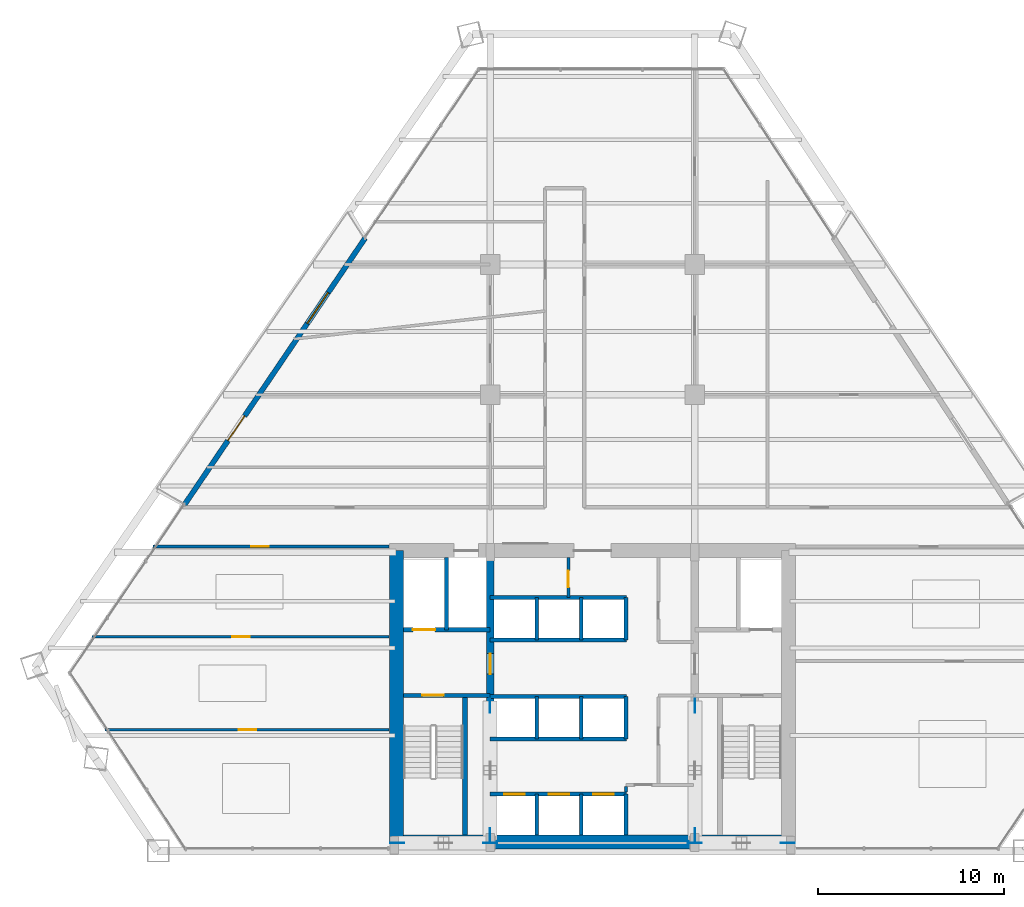
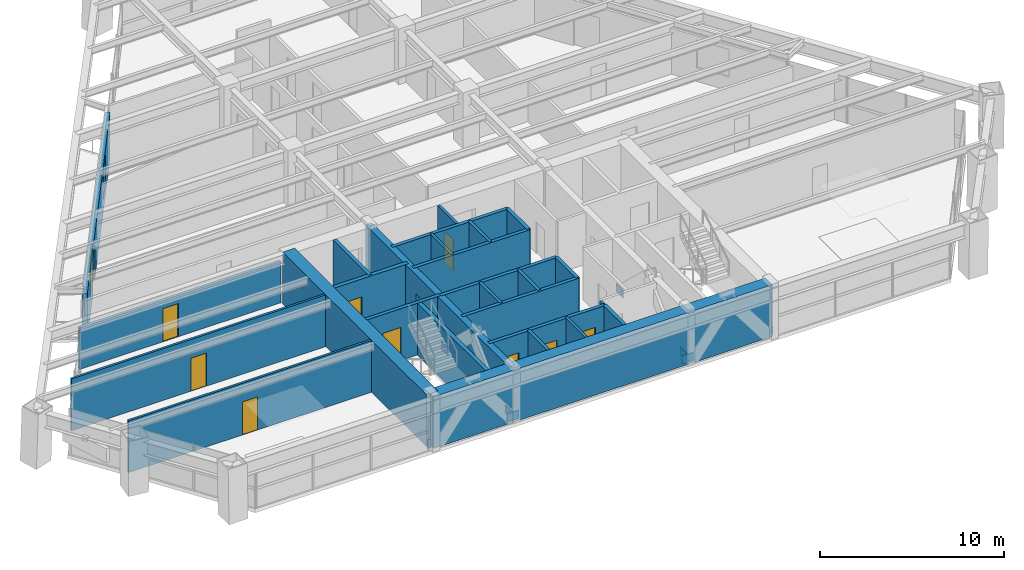
# One storey, part 10 of 14: 27 walls, 11 doors, 8 plates, 1 window, 12 openings.
"""IFC4 building model written with IfcOpenShell, lengths in metres."""

from ifc_helpers import new_model, si_unit, direction, frame, frame_2d, origin, origin_2d, place, context, subcontext, project, spatial, rectangle, extrude, source, transform, mapped, material, layer, layer_set, type_object, type_shapes, element, fill, save


model = new_model("IFC4")

# Units and contexts
model_context = context("Model", 3, precision=1e-05, world=origin(), true_north=direction((0.0, 1.0)))
body_context = subcontext(model_context, "Body", "Model", "MODEL_VIEW")
ifc_project = project(units=[si_unit("LENGTHUNIT", "METRE"), si_unit("AREAUNIT", "SQUARE_METRE"), si_unit("VOLUMEUNIT", "CUBIC_METRE"), si_unit("PLANEANGLEUNIT", "RADIAN"), si_unit("MASSUNIT", "GRAM", prefix="KILO")], contexts=[model_context])

# Site, building, storey
site_placement = place(None, origin())
site = spatial("IfcSite", under=ifc_project, at=site_placement, CompositionType="ELEMENT")
building_placement = place(site_placement, origin())
building = spatial("IfcBuilding", under=site, at=building_placement, Name="Varnakhor Terracotta Tower", CompositionType="ELEMENT")
storey_placement = place(building_placement, frame((0.0, 0.0, 76.60009765625)))
storey = spatial("IfcBuildingStorey", under=building, at=storey_placement, Name="L18", CompositionType="ELEMENT", Elevation=76.60009765625)

# Plates
ifc_material_1 = material(Name="Steel S460", Category="steel")
ifc_layer_1 = layer(ifc_material_1, 0.050048828125, Name="Steel S460")
ifc_layer_set_1 = layer_set([ifc_layer_1], Name="Steel S460")
plate_type = type_object("IfcPlateType", Name="PLT-GUSSET-50", PredefinedType="USERDEFINED", material=ifc_layer_set_1)
shared_shape_1 = source(origin(), body_context, "Body", "SweptSolid", [
    extrude(rectangle(XDim=0.75, YDim=0.0400390625, at=origin_2d()), origin(), (0.0, 0.0, 1.0), 0.550048828125),
])
type_shapes(plate_type, [shared_shape_1])
for number, where, z_axis, x_axis, name in (
    (1, (-10.5, 0.419921875, -0.09521484375), (0.0, 0.0, 1.0), (1.0, 0.0, 0.0), "L18 Core Brace Embed Plate CSWA"),
    (2, (-5.5, 0.419921875, -0.09521484375), (0.0, 0.0, 1.0), (1.0, 0.0, 0.0), "L18 Core Brace Embed Plate CSWB"),
    (3, (5.5, 0.419921875, -0.09521484375), (0.0, 0.0, 1.0), (1.0, 0.0, 0.0), "L18 Core Brace Embed Plate CSEA"),
    (4, (10.5, 0.419921875, -0.09521484375), (0.0, 0.0, 1.0), (1.0, 0.0, 0.0), "L18 Core Brace Embed Plate CSEB"),
    (5, (-5.5, 0.85009765625, -0.09521484375), (0.0, 0.0, 1.0), (0.0, 1.0, 0.0), "L18 Core Brace Embed Plate CWWA"),
    (6, (-5.5, 7.800048828125, -0.09521484375), (0.0, 0.0, 1.0), (0.0, 1.0, 0.0), "L18 Core Brace Embed Plate CWWB"),
    (7, (5.5, 0.85009765625, -0.09521484375), (0.0, 0.0, 1.0), (0.0, 1.0, 0.0), "L18 Core Brace Embed Plate CWEA"),
    (8, (5.5, 7.800048828125, -0.09521484375), (0.0, 0.0, 1.0), (0.0, 1.0, 0.0), "L18 Core Brace Embed Plate CWEB"),
):
    element("IfcPlate", number, at=place(storey_placement, frame(where, z_axis=z_axis, x_axis=x_axis)), inside=storey, type_object=plate_type, Name=name, ObjectType="GUSSET PLATE", PredefinedType="USERDEFINED", context=body_context, shape_type="MappedRepresentation", body=[
        mapped(shared_shape_1, transform((0.0, 0.0, 0.0), scale=1.0)),
    ])

# Walls
ifc_material_2 = material(Name="Concrete C60/75", Category="concrete")
ifc_layer_2 = layer(ifc_material_2, 0.75, Name="Concrete C60/75")
ifc_layer_set_2 = layer_set([ifc_layer_2], Name="Concrete C60/75")
wall_type_1 = type_object("IfcWallType", Name="WAL-CORE-750", PredefinedType="SHEAR", material=ifc_layer_set_2)
wall_1_placement = place(storey_placement, frame((-10.64990234375, 0.47509765625, 0.0), z_axis=(0.0, 0.0, 1.0), x_axis=(1.0, 0.0, 0.0)))
element("IfcWall", 9, at=wall_1_placement, inside=storey, type_object=wall_type_1, Name="L18 South Core Shear Wall", PredefinedType="SHEAR", context=body_context, shape_type="SweptSolid", body=[
    extrude(rectangle(XDim=21.2998046875, YDim=0.75, at=frame_2d((10.64990234375, 0.0))), origin(), (0.0, 0.0, 1.0), 3.449951171875),
])
wall_2_placement = place(storey_placement, frame((-10.52490234375, 0.47509765625, 0.0), z_axis=(0.0, 0.0, 1.0), x_axis=(0.0, 1.0, 0.0)))
element("IfcWall", 10, at=wall_2_placement, inside=storey, type_object=wall_type_1, Name="L18 West Core Shear Wall", PredefinedType="SHEAR", context=body_context, shape_type="SweptSolid", body=[
    extrude(rectangle(XDim=15.64990234375, YDim=0.75, at=frame_2d((7.824951171875, 0.0))), origin(), (0.0, 0.0, 1.0), 3.449951171875),
])

# Wall, opening, door
ifc_material_3 = material(Name="Concrete C50/60", Category="concrete")
ifc_layer_3 = layer(ifc_material_3, 0.39990234375, Name="Concrete C50/60")
ifc_layer_set_3 = layer_set([ifc_layer_3], Name="Concrete C50/60")
wall_type_2 = type_object("IfcWallType", Name="WAL-CORE-WEB-400", PredefinedType="SHEAR", material=ifc_layer_set_3)
wall_3_placement = place(storey_placement, frame((-5.5, 0.47509765625, 0.0), z_axis=(0.0, 0.0, 1.0), x_axis=(0.0, 1.0, 0.0)))
wall_3 = element("IfcWall", 11, at=wall_3_placement, inside=storey, type_object=wall_type_2, Name="L18 West Core Web Shear Wall", PredefinedType="SHEAR", context=body_context, shape_type="SweptSolid", body=[
    extrude(rectangle(XDim=15.64990234375, YDim=0.39990234375, at=frame_2d((7.824951171875, 0.0))), origin(), (0.0, 0.0, 1.0), 3.449951171875),
])
opening_1_placement = place(wall_3_placement, frame((9.02490234375, 0.0, 0.0)))
opening_1 = element("IfcOpeningElement", 12, at=opening_1_placement, cuts=wall_3, Name="Opening DR-25", PredefinedType="OPENING", context=body_context, shape_type="SweptSolid", body=[
    extrude(rectangle(XDim=1.10009765625, YDim=2.199951171875, at=frame_2d((0.550048828125, 1.10009765625))), frame((0.0, 0.2099609375, 0.0), z_axis=(0.0, -1.0, 0.0), x_axis=(1.0, 0.0, 0.0)), (0.0, 0.0, 1.0), 0.419921875),
])
ifc_material_4 = material(Name="Firefighting Lobby Self-Closing Fire Door", Category="steel")
door_type_1 = type_object("IfcDoorType", Name="DR-FFL-1100X2200", OperationType="NOTDEFINED", PredefinedType="DOOR", material=ifc_material_4)
shared_shape_2 = source(origin(), body_context, "Body", "SweptSolid", [
    extrude(rectangle(XDim=1.10009765625, YDim=2.199951171875, at=frame_2d((0.550048828125, 1.10009765625))), frame((0.0, 0.02490234375, 0.0), z_axis=(0.0, -1.0, 0.0), x_axis=(1.0, 0.0, 0.0)), (0.0, 0.0, 1.0), 0.050048828125),
])
type_shapes(door_type_1, [shared_shape_2])
door_1_placement = place(opening_1_placement, origin())
door_1 = element("IfcDoor", 13, at=door_1_placement, inside=storey, type_object=door_type_1, Name="L18 West Firefighting Lobby Door", OperationType="SINGLE_SWING_RIGHT", OverallHeight=2.199951171875, OverallWidth=1.10009765625, PredefinedType="DOOR", context=body_context, shape_type="MappedRepresentation", body=[
    mapped(shared_shape_2, transform((0.0, 0.0, 0.0), scale=1.0)),
])
fill(opening_1, door_1)

ifc_material_5 = material(Name="Fire-Rated Gypsum Stud Partition", Category="gypsum")
ifc_layer_4 = layer(ifc_material_5, 0.18505859375, Name="Fire-Rated Gypsum Stud Partition")
ifc_layer_set_4 = layer_set([ifc_layer_4], Name="Fire-Rated Gypsum Stud Partition")
wall_type_3 = type_object("IfcWallType", Name="WAL-CORR-185", PredefinedType="PARTITIONING", material=ifc_layer_set_4)
wall_4_placement = place(storey_placement, frame((-23.595703125, 16.35009765625, 0.0), z_axis=(0.0, 0.0, 1.0), x_axis=(1.0, 0.0, 0.0)))
wall_4 = element("IfcWall", 14, at=wall_4_placement, inside=storey, type_object=wall_type_3, Name="L18 South West Corridor Wall", PredefinedType="PARTITIONING", context=body_context, shape_type="SweptSolid", body=[
    extrude(rectangle(XDim=12.67578125, YDim=0.18505859375, at=frame_2d((6.337890625, 0.0))), origin(), (0.0, 0.0, 1.0), 2.746826171875),
])
opening_2_placement = place(wall_4_placement, frame((5.26318359375, 0.0, 0.0)))
opening_2 = element("IfcOpeningElement", 15, at=opening_2_placement, cuts=wall_4, Name="Opening DR-94", PredefinedType="OPENING", context=body_context, shape_type="SweptSolid", body=[
    extrude(rectangle(XDim=0.949951171875, YDim=2.199951171875, at=frame_2d((0.47509765625, 1.10009765625))), frame((0.0, 0.1025390625, 0.0), z_axis=(0.0, -1.0, 0.0), x_axis=(1.0, 0.0, 0.0)), (0.0, 0.0, 1.0), 0.205078125),
])
ifc_material_6 = material(Name="Acoustic Glazed-Vision Timber Office Door", Category="wood")
door_type_2 = type_object("IfcDoorType", Name="DR-OFF-950X2200", OperationType="NOTDEFINED", PredefinedType="DOOR", material=ifc_material_6)
shared_shape_3 = source(origin(), body_context, "Body", "SweptSolid", [
    extrude(rectangle(XDim=0.949951171875, YDim=2.199951171875, at=frame_2d((0.47509765625, 1.10009765625))), frame((0.0, 0.02490234375, 0.0), z_axis=(0.0, -1.0, 0.0), x_axis=(1.0, 0.0, 0.0)), (0.0, 0.0, 1.0), 0.050048828125),
])
type_shapes(door_type_2, [shared_shape_3])
door_2_placement = place(opening_2_placement, origin())
door_2 = element("IfcDoor", 16, at=door_2_placement, inside=storey, type_object=door_type_2, Name="L18 SW Suite Door", OperationType="SINGLE_SWING_LEFT", OverallHeight=2.199951171875, OverallWidth=0.949951171875, PredefinedType="DOOR", context=body_context, shape_type="MappedRepresentation", body=[
    mapped(shared_shape_3, transform((0.0, 0.0, 0.0), scale=1.0)),
])
fill(opening_2, door_2)

# Wall, openings, door, window
ifc_material_7 = material(Name="Extruded Architectural Terracotta Assembly", Category="masonry")
ifc_layer_5 = layer(ifc_material_7, 0.280029296875, Name="Extruded Architectural Terracotta Assembly")
ifc_layer_set_5 = layer_set([ifc_layer_5], Name="Extruded Architectural Terracotta Assembly")
wall_type_4 = type_object("IfcWallType", Name="WAL-EXT-TERRACOTTA-280", PredefinedType="SOLIDWALL", material=ifc_layer_set_5)
wall_5_placement = place(storey_placement, frame((-21.9130859375, 18.601806640625, 0.0), z_axis=(0.0, 0.0, 1.0), x_axis=(0.560872496689, 0.827902193775, 0.0)))
wall_5 = element("IfcWall", 17, at=wall_5_placement, inside=storey, type_object=wall_type_4, Name="L18 W Loggia Insulated Terracotta Wall", PredefinedType="SOLIDWALL", context=body_context, shape_type="SweptSolid", body=[
    extrude(rectangle(XDim=17.291015625, YDim=0.280029296875, at=frame_2d((8.6455078125, 0.0))), origin(), (0.0, 0.0, 1.0), 3.02978515625),
])
opening_3_placement = place(wall_5_placement, frame((4.14990234375, 0.0, 0.0)))
opening_3 = element("IfcOpeningElement", 18, at=opening_3_placement, cuts=wall_5, Name="Opening DR-62", PredefinedType="OPENING", context=body_context, shape_type="SweptSolid", body=[
    extrude(rectangle(XDim=1.60009765625, YDim=2.35009765625, at=frame_2d((0.800048828125, 1.175048828125))), frame((0.0, 0.14990234375, 0.0), z_axis=(0.0, -1.0, 0.0), x_axis=(1.0, 0.0, 0.0)), (0.0, 0.0, 1.0), 0.300048828125),
])
opening_4_placement = place(wall_5_placement, frame((11.7578125, 0.0, 0.89990234375)))
opening_4 = element("IfcOpeningElement", 19, at=opening_4_placement, cuts=wall_5, Name="Opening WN-26", PredefinedType="OPENING", context=body_context, shape_type="SweptSolid", body=[
    extrude(rectangle(XDim=2.0, YDim=1.85009765625, at=frame_2d((1.0, 0.925048828125))), frame((0.0, 0.14990234375, 0.0), z_axis=(0.0, -1.0, 0.0), x_axis=(1.0, 0.0, 0.0)), (0.0, 0.0, 1.0), 0.300048828125),
])
ifc_material_8 = material(Name="Thermally Broken Sliding Glass Loggia Door", Category="glass")
door_type_3 = type_object("IfcDoorType", Name="DR-EXT-LOGGIA-1600X2350", OperationType="NOTDEFINED", PredefinedType="DOOR", material=ifc_material_8)
shared_shape_4 = source(origin(), body_context, "Body", "SweptSolid", [
    extrude(rectangle(XDim=1.60009765625, YDim=2.35009765625, at=frame_2d((0.800048828125, 1.175048828125))), frame((0.0, 0.02490234375, 0.0), z_axis=(0.0, -1.0, 0.0), x_axis=(1.0, 0.0, 0.0)), (0.0, 0.0, 1.0), 0.050048828125),
])
type_shapes(door_type_3, [shared_shape_4])
door_3_placement = place(opening_3_placement, origin())
door_3 = element("IfcDoor", 20, at=door_3_placement, inside=storey, type_object=door_type_3, Name="L18 W Recessed Loggia Sliding Door", OperationType="SLIDING_TO_LEFT", OverallHeight=2.35009765625, OverallWidth=1.60009765625, PredefinedType="DOOR", context=body_context, shape_type="MappedRepresentation", body=[
    mapped(shared_shape_4, transform((0.0, 0.0, 0.0), scale=1.0)),
])
fill(opening_3, door_3)
ifc_material_9 = material(Name="Solar-Control Low-E Insulated Glass Unit", Category="glass")
window_type = type_object("IfcWindowType", Name="WIN-OFF-2200X2100", PartitioningType="SINGLE_PANEL", PredefinedType="WINDOW", material=ifc_material_9)
shared_shape_5 = source(origin(), body_context, "Body", "SweptSolid", [
    extrude(rectangle(XDim=2.0, YDim=1.85009765625, at=frame_2d((1.0, 0.925048828125))), frame((0.0, 0.030029296875, 0.0), z_axis=(0.0, -1.0, 0.0), x_axis=(1.0, 0.0, 0.0)), (0.0, 0.0, 1.0), 0.06005859375),
])
type_shapes(window_type, [shared_shape_5])
window_placement = place(opening_4_placement, origin())
window = element("IfcWindow", 21, at=window_placement, inside=storey, type_object=window_type, Name="L18 W Facet Punched Window", OverallHeight=1.85009765625, OverallWidth=2.0, PartitioningType="SINGLE_PANEL", PredefinedType="WINDOW", context=body_context, shape_type="MappedRepresentation", body=[
    mapped(shared_shape_5, transform((0.0, 0.0, 0.0), scale=1.0)),
])
fill(opening_4, window)

# Wall, opening, door
ifc_material_10 = material(Name="Concrete C40/50", Category="concrete")
ifc_layer_6 = layer(ifc_material_10, 0.219970703125, Name="Concrete C40/50")
ifc_layer_set_6 = layer_set([ifc_layer_6], Name="Concrete C40/50")
wall_type_5 = type_object("IfcWallType", Name="WAL-FFLOBBY-220", PredefinedType="SOLIDWALL", material=ifc_layer_set_6)
wall_6_placement = place(storey_placement, frame((-5.5, 8.35009765625, 0.0), z_axis=(0.0, 0.0, 1.0), x_axis=(-1.0, 0.0, 0.0)))
wall_6 = element("IfcWall", 22, at=wall_6_placement, inside=storey, type_object=wall_type_5, Name="L18 West Firefighting Lobby Stair Wall", PredefinedType="SOLIDWALL", context=body_context, shape_type="SweptSolid", body=[
    extrude(rectangle(XDim=4.64990234375, YDim=0.219970703125, at=frame_2d((2.324951171875, 0.0))), origin(), (0.0, 0.0, 1.0), 3.449951171875),
])
opening_5_placement = place(wall_6_placement, frame((2.5, 0.0, 0.0)))
opening_5 = element("IfcOpeningElement", 23, at=opening_5_placement, cuts=wall_6, Name="Opening DR-34", PredefinedType="OPENING", context=body_context, shape_type="SweptSolid", body=[
    extrude(rectangle(XDim=1.14990234375, YDim=2.199951171875, at=frame_2d((0.574951171875, 1.10009765625))), frame((0.0, 0.1201171875, 0.0), z_axis=(0.0, -1.0, 0.0), x_axis=(1.0, 0.0, 0.0)), (0.0, 0.0, 1.0), 0.239990234375),
])
ifc_material_11 = material(Name="Self-Closing Smoke-Sealed Steel Fire Door", Category="steel")
door_type_4 = type_object("IfcDoorType", Name="DR-STAIR-1150X2200", OperationType="NOTDEFINED", PredefinedType="DOOR", material=ifc_material_11)
shared_shape_6 = source(origin(), body_context, "Body", "SweptSolid", [
    extrude(rectangle(XDim=1.14990234375, YDim=2.199951171875, at=frame_2d((0.574951171875, 1.10009765625))), frame((0.0, 0.02490234375, 0.0), z_axis=(0.0, -1.0, 0.0), x_axis=(1.0, 0.0, 0.0)), (0.0, 0.0, 1.0), 0.050048828125),
])
type_shapes(door_type_4, [shared_shape_6])
door_4_placement = place(opening_5_placement, origin())
door_4 = element("IfcDoor", 24, at=door_4_placement, inside=storey, type_object=door_type_4, Name="L18 Exit Stair ST-1 Fire Door", OperationType="SINGLE_SWING_LEFT", OverallHeight=2.199951171875, OverallWidth=1.14990234375, PredefinedType="DOOR", context=body_context, shape_type="MappedRepresentation", body=[
    mapped(shared_shape_6, transform((0.0, 0.0, 0.0), scale=1.0)),
])
fill(opening_5, door_4)

ifc_material_12 = material(Name="Acoustic Metal-Stud Partition", Category="gypsum")
ifc_layer_7 = layer(ifc_material_12, 0.139892578125, Name="Acoustic Metal-Stud Partition")
ifc_layer_set_7 = layer_set([ifc_layer_7], Name="Acoustic Metal-Stud Partition")
wall_type_6 = type_object("IfcWallType", Name="WAL-PART-140", PredefinedType="PARTITIONING", material=ifc_layer_set_7)
wall_7_placement = place(storey_placement, frame((-26.177734375, 6.5, 0.0), z_axis=(0.0, 0.0, 1.0), x_axis=(1.0, 0.0, 0.0)))
wall_7 = element("IfcWall", 25, at=wall_7_placement, inside=storey, type_object=wall_type_6, Name="L18 South West Cut 1", PredefinedType="PARTITIONING", context=body_context, shape_type="SweptSolid", body=[
    extrude(rectangle(XDim=15.2578125, YDim=0.139892578125, at=frame_2d((7.62890625, 0.0))), origin(), (0.0, 0.0, 1.0), 3.44189453125),
])
opening_6_placement = place(wall_7_placement, frame((7.163818359375, 0.0, 0.0)))
opening_6 = element("IfcOpeningElement", 26, at=opening_6_placement, cuts=wall_7, Name="Opening DR-94", PredefinedType="OPENING", context=body_context, shape_type="SweptSolid", body=[
    extrude(rectangle(XDim=0.949951171875, YDim=2.199951171875, at=frame_2d((0.47509765625, 1.10009765625))), frame((0.0, 0.080078125, 0.0), z_axis=(0.0, -1.0, 0.0), x_axis=(1.0, 0.0, 0.0)), (0.0, 0.0, 1.0), 0.159912109375),
])
door_5_placement = place(opening_6_placement, origin())
door_5 = element("IfcDoor", 27, at=door_5_placement, inside=storey, type_object=door_type_2, Name="L18 South West Executive Office Door", OperationType="SINGLE_SWING_LEFT", OverallHeight=2.199951171875, OverallWidth=0.949951171875, PredefinedType="DOOR", context=body_context, shape_type="MappedRepresentation", body=[
    mapped(shared_shape_3, transform((0.0, 0.0, 0.0), scale=1.0)),
])
fill(opening_6, door_5)

wall_8_placement = place(storey_placement, frame((-26.88134765625, 11.5, 0.0), z_axis=(0.0, 0.0, 1.0), x_axis=(1.0, 0.0, 0.0)))
wall_8 = element("IfcWall", 28, at=wall_8_placement, inside=storey, type_object=wall_type_6, Name="L18 South West Cut 2", PredefinedType="PARTITIONING", context=body_context, shape_type="SweptSolid", body=[
    extrude(rectangle(XDim=15.96142578125, YDim=0.139892578125, at=frame_2d((7.980712890625, 0.0))), origin(), (0.0, 0.0, 1.0), 3.44189453125),
])
opening_7_placement = place(wall_8_placement, frame((7.518310546875, 0.0, 0.0)))
opening_7 = element("IfcOpeningElement", 29, at=opening_7_placement, cuts=wall_8, Name="Opening DR-94", PredefinedType="OPENING", context=body_context, shape_type="SweptSolid", body=[
    extrude(rectangle(XDim=0.949951171875, YDim=2.199951171875, at=frame_2d((0.47509765625, 1.10009765625))), frame((0.0, 0.080078125, 0.0), z_axis=(0.0, -1.0, 0.0), x_axis=(1.0, 0.0, 0.0)), (0.0, 0.0, 1.0), 0.159912109375),
])
door_6_placement = place(opening_7_placement, origin())
door_6 = element("IfcDoor", 30, at=door_6_placement, inside=storey, type_object=door_type_2, Name="L18 Focus Office Door", OperationType="SINGLE_SWING_RIGHT", OverallHeight=2.199951171875, OverallWidth=0.949951171875, PredefinedType="DOOR", context=body_context, shape_type="MappedRepresentation", body=[
    mapped(shared_shape_3, transform((0.0, 0.0, 0.0), scale=1.0)),
])
fill(opening_7, door_6)

# Walls
ifc_layer_8 = layer(ifc_material_10, 0.179931640625, Name="Concrete C40/50")
ifc_layer_set_8 = layer_set([ifc_layer_8], Name="Concrete C40/50")
wall_type_7 = type_object("IfcWallType", Name="WAL-SHAFT-180", PredefinedType="SOLIDWALL", material=ifc_layer_set_8)
for number, where, z_axis, x_axis, name in (
    (31, (-3.0, 0.85009765625, 0.0), (0.0, 0.0, 1.0), (0.0, 1.0, 0.0), "L18 PL-1A Divider"),
    (32, (-0.60009765625, 0.85009765625, 0.0), (0.0, 0.0, 1.0), (0.0, 1.0, 0.0), "L18 PL-1B Divider"),
):
    element("IfcWall", number, at=place(storey_placement, frame(where, z_axis=z_axis, x_axis=x_axis)), inside=storey, type_object=wall_type_7, Name=name, PredefinedType="SOLIDWALL", context=body_context, shape_type="SweptSolid", body=[
        extrude(rectangle(XDim=2.199951171875, YDim=0.179931640625, at=frame_2d((1.10009765625, 0.0))), origin(), (0.0, 0.0, 1.0), 3.449951171875),
    ])
for number, where, z_axis, x_axis, name in (
    (33, (-3.0, 6.0, 0.0), (0.0, 0.0, 1.0), (0.0, 1.0, 0.0), "L18 PL-2A Divider"),
    (34, (-0.60009765625, 6.0, 0.0), (0.0, 0.0, 1.0), (0.0, 1.0, 0.0), "L18 PL-2B Divider"),
    (35, (-3.0, 11.320068359375, 0.0), (0.0, 0.0, 1.0), (0.0, 1.0, 0.0), "L18 PL-3A Divider"),
    (36, (-0.60009765625, 11.320068359375, 0.0), (0.0, 0.0, 1.0), (0.0, 1.0, 0.0), "L18 PL-3B Divider"),
):
    element("IfcWall", number, at=place(storey_placement, frame(where, z_axis=z_axis, x_axis=x_axis)), inside=storey, type_object=wall_type_7, Name=name, PredefinedType="SOLIDWALL", context=body_context, shape_type="SweptSolid", body=[
        extrude(rectangle(XDim=2.300048828125, YDim=0.179931640625, at=frame_2d((1.14990234375, 0.0))), origin(), (0.0, 0.0, 1.0), 3.449951171875),
    ])
ifc_layer_9 = layer(ifc_material_10, 0.219970703125, Name="Concrete C40/50")
ifc_layer_set_9 = layer_set([ifc_layer_9], Name="Concrete C40/50")
wall_type_8 = type_object("IfcWallType", Name="WAL-SHAFT-220", PredefinedType="SOLIDWALL", material=ifc_layer_set_9)
wall_9_placement = place(storey_placement, frame((-7.840087890625, 11.8701171875, 0.0), z_axis=(0.0, 0.0, 1.0), x_axis=(0.0, 1.0, 0.0)))
element("IfcWall", 37, at=wall_9_placement, inside=storey, type_object=wall_type_8, Name="L18 Lift FFL-1 and SVL-1 Divider Wall", PredefinedType="SOLIDWALL", context=body_context, shape_type="SweptSolid", body=[
    extrude(rectangle(XDim=3.8798828125, YDim=0.219970703125, at=frame_2d((1.93994140625, 0.0))), origin(), (0.0, 0.0, 1.0), 3.449951171875),
])

# Wall, openings, doors
wall_10_placement = place(storey_placement, frame((-5.5, 3.050048828125, 0.0), z_axis=(0.0, 0.0, 1.0), x_axis=(1.0, 0.0, 0.0)))
wall_10 = element("IfcWall", 38, at=wall_10_placement, inside=storey, type_object=wall_type_8, Name="L18 Bank 1 Lift Shaft Wall", PredefinedType="SOLIDWALL", context=body_context, shape_type="SweptSolid", body=[
    extrude(rectangle(XDim=7.320068359375, YDim=0.219970703125, at=frame_2d((3.66015625, 0.0))), origin(), (0.0, 0.0, 1.0), 3.449951171875),
])
opening_8_placement = place(wall_10_placement, frame((0.75, 0.0, 0.0)))
opening_8 = element("IfcOpeningElement", 39, at=opening_8_placement, cuts=wall_10, Name="Opening LD-01", PredefinedType="OPENING", context=body_context, shape_type="SweptSolid", body=[
    extrude(rectangle(XDim=1.10009765625, YDim=2.199951171875, at=frame_2d((0.550048828125, 1.10009765625))), frame((0.0, 0.1201171875, 0.0), z_axis=(0.0, -1.0, 0.0), x_axis=(1.0, 0.0, 0.0)), (0.0, 0.0, 1.0), 0.239990234375),
])
opening_9_placement = place(wall_10_placement, frame((3.14990234375, 0.0, 0.0)))
opening_9 = element("IfcOpeningElement", 40, at=opening_9_placement, cuts=wall_10, Name="Opening LD-01", PredefinedType="OPENING", context=body_context, shape_type="SweptSolid", body=[
    extrude(rectangle(XDim=1.10009765625, YDim=2.199951171875, at=frame_2d((0.550048828125, 1.10009765625))), frame((0.0, 0.1201171875, 0.0), z_axis=(0.0, -1.0, 0.0), x_axis=(1.0, 0.0, 0.0)), (0.0, 0.0, 1.0), 0.239990234375),
])
opening_10_placement = place(wall_10_placement, frame((5.550048828125, 0.0, 0.0)))
opening_10 = element("IfcOpeningElement", 41, at=opening_10_placement, cuts=wall_10, Name="Opening LD-01", PredefinedType="OPENING", context=body_context, shape_type="SweptSolid", body=[
    extrude(rectangle(XDim=1.10009765625, YDim=2.199951171875, at=frame_2d((0.550048828125, 1.10009765625))), frame((0.0, 0.1201171875, 0.0), z_axis=(0.0, -1.0, 0.0), x_axis=(1.0, 0.0, 0.0)), (0.0, 0.0, 1.0), 0.239990234375),
])
ifc_material_13 = material(Name="Brushed Stainless Steel Sliding Lift Landing Door", Category="steel")
door_type_5 = type_object("IfcDoorType", Name="LD-PASS-1100X2200", OperationType="NOTDEFINED", PredefinedType="DOOR", material=ifc_material_13)
shared_shape_7 = source(origin(), body_context, "Body", "SweptSolid", [
    extrude(rectangle(XDim=1.10009765625, YDim=2.199951171875, at=frame_2d((0.550048828125, 1.10009765625))), frame((0.0, 0.02490234375, 0.0), z_axis=(0.0, -1.0, 0.0), x_axis=(1.0, 0.0, 0.0)), (0.0, 0.0, 1.0), 0.050048828125),
])
type_shapes(door_type_5, [shared_shape_7])
door_7_placement = place(opening_8_placement, origin())
door_7 = element("IfcDoor", 42, at=door_7_placement, inside=storey, type_object=door_type_5, Name="L18 Passenger Lift PL-1A Landing Door", OperationType="SLIDING_TO_RIGHT", OverallHeight=2.199951171875, OverallWidth=1.10009765625, PredefinedType="DOOR", context=body_context, shape_type="MappedRepresentation", body=[
    mapped(shared_shape_7, transform((0.0, 0.0, 0.0), scale=1.0)),
])
fill(opening_8, door_7)
door_8_placement = place(opening_9_placement, origin())
door_8 = element("IfcDoor", 43, at=door_8_placement, inside=storey, type_object=door_type_5, Name="L18 Passenger Lift PL-1B Landing Door", OperationType="SLIDING_TO_RIGHT", OverallHeight=2.199951171875, OverallWidth=1.10009765625, PredefinedType="DOOR", context=body_context, shape_type="MappedRepresentation", body=[
    mapped(shared_shape_7, transform((0.0, 0.0, 0.0), scale=1.0)),
])
fill(opening_9, door_8)
door_9_placement = place(opening_10_placement, origin())
door_9 = element("IfcDoor", 44, at=door_9_placement, inside=storey, type_object=door_type_5, Name="L18 Passenger Lift PL-1C Landing Door", OperationType="SLIDING_TO_RIGHT", OverallHeight=2.199951171875, OverallWidth=1.10009765625, PredefinedType="DOOR", context=body_context, shape_type="MappedRepresentation", body=[
    mapped(shared_shape_7, transform((0.0, 0.0, 0.0), scale=1.0)),
])
fill(opening_10, door_9)

# Walls
wall_11_placement = place(storey_placement, frame((1.800048828125, 0.85009765625, 0.0), z_axis=(0.0, 0.0, 1.0), x_axis=(0.0, 1.0, 0.0)))
element("IfcWall", 45, at=wall_11_placement, inside=storey, type_object=wall_type_8, Name="L18 Bank 1 East Shaft Wall", PredefinedType="SOLIDWALL", context=body_context, shape_type="SweptSolid", body=[
    extrude(rectangle(XDim=2.199951171875, YDim=0.219970703125, at=frame_2d((1.10009765625, 0.0))), origin(), (0.0, 0.0, 1.0), 3.449951171875),
])
for number, where, z_axis, x_axis, name in (
    (46, (-5.5, 6.0, 0.0), (0.0, 0.0, 1.0), (1.0, 0.0, 0.0), "L18 Bank 2 South Shaft Wall"),
    (47, (-5.5, 8.300048828125, 0.0), (0.0, 0.0, 1.0), (1.0, 0.0, 0.0), "L18 Bank 2 North Shaft Wall"),
):
    element("IfcWall", number, at=place(storey_placement, frame(where, z_axis=z_axis, x_axis=x_axis)), inside=storey, type_object=wall_type_8, Name=name, PredefinedType="SOLIDWALL", context=body_context, shape_type="SweptSolid", body=[
        extrude(rectangle(XDim=7.320068359375, YDim=0.219970703125, at=frame_2d((3.66015625, 0.0))), origin(), (0.0, 0.0, 1.0), 3.449951171875),
    ])
wall_12_placement = place(storey_placement, frame((1.800048828125, 6.0, 0.0), z_axis=(0.0, 0.0, 1.0), x_axis=(0.0, 1.0, 0.0)))
element("IfcWall", 48, at=wall_12_placement, inside=storey, type_object=wall_type_8, Name="L18 Bank 2 East Shaft Wall", PredefinedType="SOLIDWALL", context=body_context, shape_type="SweptSolid", body=[
    extrude(rectangle(XDim=2.300048828125, YDim=0.219970703125, at=frame_2d((1.14990234375, 0.0))), origin(), (0.0, 0.0, 1.0), 3.449951171875),
])
for number, where, z_axis, x_axis, name in (
    (49, (-5.5, 11.320068359375, 0.0), (0.0, 0.0, 1.0), (1.0, 0.0, 0.0), "L18 Bank 3 South Shaft Wall"),
    (50, (-5.5, 13.6201171875, 0.0), (0.0, 0.0, 1.0), (1.0, 0.0, 0.0), "L18 Bank 3 North Shaft Wall"),
):
    element("IfcWall", number, at=place(storey_placement, frame(where, z_axis=z_axis, x_axis=x_axis)), inside=storey, type_object=wall_type_8, Name=name, PredefinedType="SOLIDWALL", context=body_context, shape_type="SweptSolid", body=[
        extrude(rectangle(XDim=7.320068359375, YDim=0.219970703125, at=frame_2d((3.66015625, 0.0))), origin(), (0.0, 0.0, 1.0), 3.449951171875),
    ])
wall_13_placement = place(storey_placement, frame((1.800048828125, 11.320068359375, 0.0), z_axis=(0.0, 0.0, 1.0), x_axis=(0.0, 1.0, 0.0)))
element("IfcWall", 51, at=wall_13_placement, inside=storey, type_object=wall_type_8, Name="L18 Bank 3 East Shaft Wall", PredefinedType="SOLIDWALL", context=body_context, shape_type="SweptSolid", body=[
    extrude(rectangle(XDim=2.300048828125, YDim=0.219970703125, at=frame_2d((1.14990234375, 0.0))), origin(), (0.0, 0.0, 1.0), 3.449951171875),
])
ifc_layer_10 = layer(ifc_material_10, 0.25, Name="Concrete C40/50")
ifc_layer_set_10 = layer_set([ifc_layer_10], Name="Concrete C40/50")
wall_type_9 = type_object("IfcWallType", Name="WAL-SHAFT-250", PredefinedType="SOLIDWALL", material=ifc_layer_set_10)
wall_14_placement = place(storey_placement, frame((-6.85009765625, 0.85009765625, 0.0), z_axis=(0.0, 0.0, 1.0), x_axis=(0.0, 1.0, 0.0)))
element("IfcWall", 52, at=wall_14_placement, inside=storey, type_object=wall_type_9, Name="L18 Stair ST-1 Bearing Shaft Wall", PredefinedType="SOLIDWALL", context=body_context, shape_type="SweptSolid", body=[
    extrude(rectangle(XDim=7.5, YDim=0.25, at=frame_2d((3.75, 0.0))), origin(), (0.0, 0.0, 1.0), 3.449951171875),
])

# Wall, opening, door
wall_15_placement = place(storey_placement, frame((-5.5, 11.8701171875, 0.0), z_axis=(0.0, 0.0, 1.0), x_axis=(-1.0, 0.0, 0.0)))
wall_15 = element("IfcWall", 53, at=wall_15_placement, inside=storey, type_object=wall_type_9, Name="L18 Lift FFL-1 Shaft Front Wall", PredefinedType="SOLIDWALL", context=body_context, shape_type="SweptSolid", body=[
    extrude(rectangle(XDim=4.64990234375, YDim=0.25, at=frame_2d((2.324951171875, 0.0))), origin(), (0.0, 0.0, 1.0), 3.449951171875),
])
opening_11_placement = place(wall_15_placement, frame((2.949951171875, 0.0, 0.0)))
opening_11 = element("IfcOpeningElement", 54, at=opening_11_placement, cuts=wall_15, Name="Opening LD-02", PredefinedType="OPENING", context=body_context, shape_type="SweptSolid", body=[
    extrude(rectangle(XDim=1.199951171875, YDim=2.25, at=frame_2d((0.60009765625, 1.125))), frame((0.0, 0.135009765625, 0.0), z_axis=(0.0, -1.0, 0.0), x_axis=(1.0, 0.0, 0.0)), (0.0, 0.0, 1.0), 0.27001953125),
])
ifc_material_14 = material(Name="Firefighting Stretcher Sliding Lift Landing Door", Category="steel")
door_type_6 = type_object("IfcDoorType", Name="LD-FFL-1200X2250", OperationType="NOTDEFINED", PredefinedType="DOOR", material=ifc_material_14)
shared_shape_8 = source(origin(), body_context, "Body", "SweptSolid", [
    extrude(rectangle(XDim=1.199951171875, YDim=2.25, at=frame_2d((0.60009765625, 1.125))), frame((0.0, 0.02490234375, 0.0), z_axis=(0.0, -1.0, 0.0), x_axis=(1.0, 0.0, 0.0)), (0.0, 0.0, 1.0), 0.050048828125),
])
type_shapes(door_type_6, [shared_shape_8])
door_10_placement = place(opening_11_placement, origin())
door_10 = element("IfcDoor", 55, at=door_10_placement, inside=storey, type_object=door_type_6, Name="L18 Firefighting Lift FFL-1 Landing Door", OperationType="SLIDING_TO_LEFT", OverallHeight=2.25, OverallWidth=1.199951171875, PredefinedType="DOOR", context=body_context, shape_type="MappedRepresentation", body=[
    mapped(shared_shape_8, transform((0.0, 0.0, 0.0), scale=1.0)),
])
fill(opening_11, door_10)

# Wall
ifc_material_15 = material(Name="Acoustic Fire-Rated Partition", Category="gypsum")
ifc_layer_11 = layer(ifc_material_15, 0.1650390625, Name="Acoustic Fire-Rated Partition")
ifc_layer_set_11 = layer_set([ifc_layer_11], Name="Acoustic Fire-Rated Partition")
wall_type_10 = type_object("IfcWallType", Name="WAL-TENANCY-165", PredefinedType="PARTITIONING", material=ifc_layer_set_11)
wall_16_placement = place(storey_placement, frame((1.800048828125, 3.159912109375, 0.0), z_axis=(0.0, 0.0, 1.0), x_axis=(0.0, 1.0, 0.0)))
element("IfcWall", 56, at=wall_16_placement, inside=storey, type_object=wall_type_10, Name="L18 Core South West Return Wall", PredefinedType="PARTITIONING", context=body_context, shape_type="SweptSolid", body=[
    extrude(rectangle(XDim=0.3076171875, YDim=0.1650390625, at=frame_2d((0.15380859375, 0.0))), origin(), (0.0, 0.0, 1.0), 3.44189453125),
])

# Wall, opening, door
wall_17_placement = place(storey_placement, frame((-1.300048828125, 13.60009765625, 0.0), z_axis=(0.0, 0.0, 1.0), x_axis=(0.0, 1.0, 0.0)))
wall_17 = element("IfcWall", 57, at=wall_17_placement, inside=storey, type_object=wall_type_10, Name="L18 Male Restroom Wall", PredefinedType="PARTITIONING", context=body_context, shape_type="SweptSolid", body=[
    extrude(rectangle(XDim=2.14990234375, YDim=0.1650390625, at=frame_2d((1.074951171875, 0.0))), origin(), (0.0, 0.0, 1.0), 3.44189453125),
])
opening_12_placement = place(wall_17_placement, frame((0.550048828125, 0.0, 0.0)))
opening_12 = element("IfcOpeningElement", 58, at=opening_12_placement, cuts=wall_17, Name="Opening DR-67", PredefinedType="OPENING", context=body_context, shape_type="SweptSolid", body=[
    extrude(rectangle(XDim=0.89990234375, YDim=2.10009765625, at=frame_2d((0.449951171875, 1.050048828125))), frame((0.0, 0.092529296875, 0.0), z_axis=(0.0, -1.0, 0.0), x_axis=(1.0, 0.0, 0.0)), (0.0, 0.0, 1.0), 0.18505859375),
])
ifc_material_16 = material(Name="Steel Service Riser Fire Door", Category="steel")
door_type_7 = type_object("IfcDoorType", Name="DR-RISER-900X2100", OperationType="NOTDEFINED", PredefinedType="DOOR", material=ifc_material_16)
shared_shape_9 = source(origin(), body_context, "Body", "SweptSolid", [
    extrude(rectangle(XDim=0.89990234375, YDim=2.10009765625, at=frame_2d((0.449951171875, 1.050048828125))), frame((0.0, 0.02490234375, 0.0), z_axis=(0.0, -1.0, 0.0), x_axis=(1.0, 0.0, 0.0)), (0.0, 0.0, 1.0), 0.050048828125),
])
type_shapes(door_type_7, [shared_shape_9])
door_11_placement = place(opening_12_placement, origin())
door_11 = element("IfcDoor", 59, at=door_11_placement, inside=storey, type_object=door_type_7, Name="L18 Male WC Door", OperationType="SINGLE_SWING_LEFT", OverallHeight=2.10009765625, OverallWidth=0.89990234375, PredefinedType="DOOR", context=body_context, shape_type="MappedRepresentation", body=[
    mapped(shared_shape_9, transform((0.0, 0.0, 0.0), scale=1.0)),
])
fill(opening_12, door_11)

save(model, "model.ifc")
